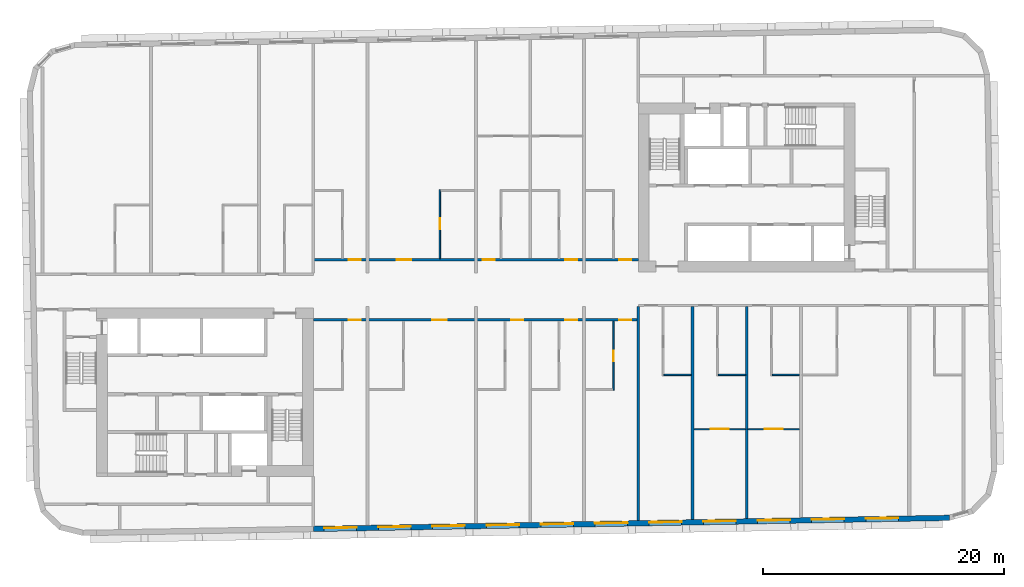
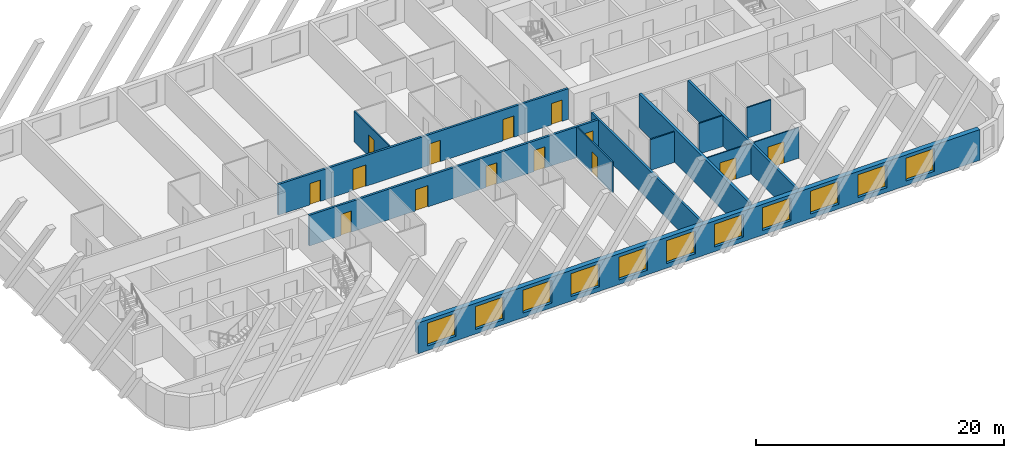
# One storey, part 4 of 12: 14 doors, 13 walls, 11 windows, 25 openings.
"""IFC4 building model written with IfcOpenShell, lengths in metres."""

import ifcopenshell
import ifcopenshell.guid

model = None  # the IFC model being written
_history = None  # IfcOwnerHistory: only IFC2X3 demands one
_inside = {}  # id of a spatial element -> (the spatial element, [elements in it])
_under = {}  # id of a project, library or spatial element -> (it, [spatial elements below it])
_declared = {}  # id of a project -> (the project, [libraries it declares])
_typed = {}  # id of a type object -> (the type object, [elements of that type])
_made_of = {}  # id of a material, layer set ... -> (it, [elements and type objects made of it])


def new_model(schema):
    """Start an empty IFC model of exactly this schema.

    Asked for "IFC4X3", IfcOpenShell would pick the latest addendum, in which some entities
    have other attributes; the version numbers below select the first issue.
    IFC2X3 requires an IfcOwnerHistory on every rooted entity: one is made here for all.
    """
    global model, _history
    if schema == "IFC4X3":
        model = ifcopenshell.file(schema_version=(4, 3, 0, 0))
    else:
        model = ifcopenshell.file(schema=schema)
    _inside.clear()
    _under.clear()
    _declared.clear()
    _typed.clear()
    _made_of.clear()
    _history = None
    if model.schema == "IFC2X3":
        org = make("IfcOrganization", Name="unknown")
        user = make(
            "IfcPersonAndOrganization",
            ThePerson=make("IfcPerson", FamilyName="unknown"),
            TheOrganization=org,
        )
        app = make(
            "IfcApplication",
            ApplicationDeveloper=org,
            Version="unknown",
            ApplicationFullName="unknown",
            ApplicationIdentifier="unknown",
        )
        _history = make(
            "IfcOwnerHistory",
            OwningUser=user,
            OwningApplication=app,
            ChangeAction="ADDED",
            CreationDate=0,
        )
    return model


def make(cls, **values):
    """One entity of the class cls with the attributes given. An attribute that is None is left unset."""
    return model.create_entity(
        cls, **{name: value for name, value in values.items() if value is not None}
    )


def rooted(cls, **values):
    """An entity with a GlobalId (a new one), such as an element, a storey or a relation."""
    return make(cls, GlobalId=ifcopenshell.guid.new(), OwnerHistory=_history, **values)


def si_unit(unit_type, name, prefix=None):
    """IfcSIUnit, for example si_unit("LENGTHUNIT", "METRE", prefix="MILLI")."""
    return make("IfcSIUnit", UnitType=unit_type, Prefix=prefix, Name=name)


def assignment(units):
    """IfcUnitAssignment: the units of a project."""
    return None if units is None else make("IfcUnitAssignment", Units=units)


def point(xyz):
    """IfcCartesianPoint."""
    return None if xyz is None else make("IfcCartesianPoint", Coordinates=xyz)


def direction(xyz):
    """IfcDirection."""
    return None if xyz is None else make("IfcDirection", DirectionRatios=xyz)


def frame(location, z_axis=None, x_axis=None):
    """IfcAxis2Placement3D, a coordinate frame: its origin and axes. An axis left out is left unset."""
    return make(
        "IfcAxis2Placement3D",
        Location=point(location),
        Axis=direction(z_axis),
        RefDirection=direction(x_axis),
    )


def frame_2d(location, x_axis=None):
    """IfcAxis2Placement2D, a coordinate frame in the plane: its origin and x axis."""
    return make(
        "IfcAxis2Placement2D", Location=point(location), RefDirection=direction(x_axis)
    )


def origin():
    """The frame at (0, 0, 0) with its axes left unset."""
    return frame((0.0, 0.0, 0.0))


def place(relative_to, where):
    """IfcLocalPlacement: puts the frame where relative to a parent placement (None: the world)."""
    return make(
        "IfcLocalPlacement", PlacementRelTo=relative_to, RelativePlacement=where
    )


def context(
    kind, dimensions, precision=None, world=None, true_north=None, identifier=None
):
    """IfcGeometricRepresentationContext, for example the 3D "Model" context."""
    return make(
        "IfcGeometricRepresentationContext",
        ContextIdentifier=identifier,
        ContextType=kind,
        CoordinateSpaceDimension=dimensions,
        Precision=precision,
        WorldCoordinateSystem=world,
        TrueNorth=true_north,
    )


def subcontext(parent, identifier, kind, view, scale=None):
    """IfcGeometricRepresentationSubContext, for example "Body" below "Model"."""
    return make(
        "IfcGeometricRepresentationSubContext",
        ContextIdentifier=identifier,
        ContextType=kind,
        ParentContext=parent,
        TargetScale=scale,
        TargetView=view,
    )


def project(units=None, contexts=None):
    """IfcProject with its units and contexts."""
    return rooted(
        "IfcProject",
        Name="project",
        RepresentationContexts=contexts,
        UnitsInContext=assignment(units),
    )


def spatial(cls, under=None, at=None, **own):
    """A site, building, storey or space (cls), placed at a placement, below another one or the project."""
    s = rooted(cls, ObjectPlacement=at, **own)
    if under is not None:
        _under.setdefault(under.id(), (under, []))[1].append(s)
    return s


def profile(cls, at=None, kind="AREA", **sizes):
    """A parametric profile (cls). Its sizes go by their IFC names, for example OverallWidth=200.0."""
    return make(cls, ProfileType=kind, Position=at, **sizes)


def rectangle(**sizes):
    """IfcRectangleProfileDef."""
    return profile("IfcRectangleProfileDef", **sizes)


def extrude(swept, where, along, depth):
    """IfcExtrudedAreaSolid: the profile swept, set in the frame where, extruded along a direction by depth."""
    return make(
        "IfcExtrudedAreaSolid",
        SweptArea=swept,
        Position=where,
        ExtrudedDirection=direction(along),
        Depth=depth,
    )


def shape(context_of_items, identifier, shape_type, items):
    """IfcShapeRepresentation: the items that make up one representation, for example the "Body"."""
    return make(
        "IfcShapeRepresentation",
        ContextOfItems=context_of_items,
        RepresentationIdentifier=identifier,
        RepresentationType=shape_type,
        Items=items,
    )


def material(Name=None, Category=None):
    """IfcMaterial."""
    return make("IfcMaterial", Name=Name, Category=Category)


def layer(
    of_material, thickness, ventilated=None, Name=None, Category=None, Priority=None
):
    """IfcMaterialLayer: one layer of a wall or slab, of a material (None: an air gap)."""
    return make(
        "IfcMaterialLayer",
        Material=of_material,
        LayerThickness=thickness,
        IsVentilated=ventilated,
        Name=Name,
        Category=Category,
        Priority=Priority,
    )


def layer_set(layers, Name=None):
    """IfcMaterialLayerSet."""
    return make("IfcMaterialLayerSet", MaterialLayers=layers, LayerSetName=Name)


def made_of(thing, what):
    """Note that an element or type object is made of a material, layer set ...; save() writes the relation."""
    if what is not None:
        _made_of.setdefault(what.id(), (what, []))[1].append(thing)
    return thing


def type_object(cls, material=None, **own):
    """A type object (cls), such as IfcWallType, which elements share."""
    return made_of(rooted(cls, **own), material)


def element(
    cls,
    number,
    at=None,
    inside=None,
    cuts=None,
    type_object=None,
    material=None,
    context=None,
    identifier="Body",
    shape_type=None,
    held_by="IfcProductDefinitionShape",
    body=None,
    shapes=None,
    **own,
):
    """One element of the class cls, such as IfcWall. Its Tag is "e" and its number.

    at: its placement. inside: the storey or other place that contains it. cuts: it is an
    opening in that element (IfcRelVoidsElement). A single representation is given by context,
    identifier, shape_type and body (its items); several are given by shapes. held_by: the class
    of the entity that holds the representations. save() writes the other relations.
    """
    e = rooted(cls, Tag="e%d" % number, ObjectPlacement=at, **own)
    if body is not None:
        shapes = [shape(context, identifier, shape_type, body)]
    if shapes is not None:
        e.Representation = make(held_by, Representations=shapes)
    if inside is not None:
        _inside.setdefault(inside.id(), (inside, []))[1].append(e)
    if cuts is not None:
        rooted(
            "IfcRelVoidsElement", RelatingBuildingElement=cuts, RelatedOpeningElement=e
        )
    if type_object is not None:
        _typed.setdefault(type_object.id(), (type_object, []))[1].append(e)
    return made_of(e, material)


def fill(opening, filler):
    """IfcRelFillsElement: the door or window that sits in an opening."""
    return rooted(
        "IfcRelFillsElement",
        RelatingOpeningElement=opening,
        RelatedBuildingElement=filler,
    )


def aggregate(whole, parts):
    """IfcRelAggregates: a whole, such as a stair, and the parts it consists of."""
    return rooted("IfcRelAggregates", RelatingObject=whole, RelatedObjects=parts)


def save(model, path):
    """Write the relations noted so far, then the file.

    IfcRelAggregates (storeys below a building ...), IfcRelContainedInSpatialStructure (elements
    in a storey), IfcRelDefinesByType, IfcRelAssociatesMaterial and IfcRelDeclares: one each for
    every whole, place, type object, material and project.
    """
    for whole, parts in _under.values():
        aggregate(whole, parts)
    for where, things in _inside.values():
        rooted(
            "IfcRelContainedInSpatialStructure",
            RelatedElements=things,
            RelatingStructure=where,
        )
    for kind, things in _typed.values():
        rooted("IfcRelDefinesByType", RelatedObjects=things, RelatingType=kind)
    for what, things in _made_of.values():
        rooted("IfcRelAssociatesMaterial", RelatedObjects=things, RelatingMaterial=what)
    for by, libraries in _declared.values():
        rooted("IfcRelDeclares", RelatingContext=by, RelatedDefinitions=libraries)
    model.write(path)


model = new_model("IFC4")

# Units and contexts
model_context = context("Model", 3, precision=1e-05, world=origin(), true_north=direction((0.0, 1.0)))
body_context = subcontext(model_context, "Body", "Model", "MODEL_VIEW")
ifc_project = project(units=[si_unit("LENGTHUNIT", "METRE"), si_unit("AREAUNIT", "SQUARE_METRE"), si_unit("VOLUMEUNIT", "CUBIC_METRE"), si_unit("PLANEANGLEUNIT", "RADIAN"), si_unit("MASSUNIT", "GRAM", prefix="KILO")], contexts=[model_context])

# Site, building, storey
site_placement = place(None, origin())
site = spatial("IfcSite", under=ifc_project, at=site_placement, CompositionType="ELEMENT")
building_placement = place(site_placement, origin())
building = spatial("IfcBuilding", under=site, at=building_placement, Name="Kajstack Hotel Tower", CompositionType="ELEMENT")
storey_placement = place(building_placement, frame((0.0, 0.0, 227.60009765625)))
storey = spatial("IfcBuildingStorey", under=building, at=storey_placement, Name="L55", CompositionType="ELEMENT", Elevation=227.60009765625)

# Wall, openings, doors
ifc_material_1 = material(Name="Gypsum board on steel studs, mineral wool", Category="steel")
ifc_layer_1 = layer(ifc_material_1, 0.199951171875)
ifc_layer_set_1 = layer_set([ifc_layer_1], Name="Corridor wall 200")
wall_type_1 = type_object("IfcWallType", Name="Corridor wall 200", PredefinedType="PARTITIONING", material=ifc_layer_set_1)
wall_1_placement = place(storey_placement, frame((-13.5, 2.5, 0.0), z_axis=(0.0, 0.0, 1.0), x_axis=(1.0, 0.0, 0.0)))
wall_1 = element("IfcWall", 1, at=wall_1_placement, inside=storey, type_object=wall_type_1, Name="G-wall-L55-004", PredefinedType="PARTITIONING", context=body_context, shape_type="SweptSolid", body=[
    extrude(rectangle(XDim=27.0, YDim=0.199951171875, at=frame_2d((13.5, 0.0))), origin(), (0.0, 0.0, 1.0), 3.02001953125),
])
opening_1_placement = place(wall_1_placement, frame((2.925048828125, 0.0, 0.0)))
opening_1 = element("IfcOpeningElement", 2, at=opening_1_placement, cuts=wall_1, Name="Opening 55007", PredefinedType="OPENING", context=body_context, shape_type="SweptSolid", body=[
    extrude(rectangle(XDim=1.0, YDim=2.10009765625, at=frame_2d((0.5, 1.050048828125))), frame((0.0, 0.10986328125, 0.0), z_axis=(0.0, -1.0, 0.0), x_axis=(1.0, 0.0, 0.0)), (0.0, 0.0, 1.0), 0.219970703125),
])
opening_2_placement = place(wall_1_placement, frame((6.93798828125, 0.0, 0.0)))
opening_2 = element("IfcOpeningElement", 3, at=opening_2_placement, cuts=wall_1, Name="Opening 55009", PredefinedType="OPENING", context=body_context, shape_type="SweptSolid", body=[
    extrude(rectangle(XDim=1.199951171875, YDim=2.10009765625, at=frame_2d((0.60009765625, 1.050048828125))), frame((0.0, 0.10986328125, 0.0), z_axis=(0.0, -1.0, 0.0), x_axis=(1.0, 0.0, 0.0)), (0.0, 0.0, 1.0), 0.219970703125),
])
opening_3_placement = place(wall_1_placement, frame((14.074951171875, 0.0, 0.0)))
opening_3 = element("IfcOpeningElement", 4, at=opening_3_placement, cuts=wall_1, Name="Opening 55011", PredefinedType="OPENING", context=body_context, shape_type="SweptSolid", body=[
    extrude(rectangle(XDim=1.0, YDim=2.10009765625, at=frame_2d((0.5, 1.050048828125))), frame((0.0, 0.10986328125, 0.0), z_axis=(0.0, -1.0, 0.0), x_axis=(1.0, 0.0, 0.0)), (0.0, 0.0, 1.0), 0.219970703125),
])
opening_4_placement = place(wall_1_placement, frame((20.925048828125, 0.0, 0.0)))
opening_4 = element("IfcOpeningElement", 5, at=opening_4_placement, cuts=wall_1, Name="Opening 55014", PredefinedType="OPENING", context=body_context, shape_type="SweptSolid", body=[
    extrude(rectangle(XDim=1.0, YDim=2.10009765625, at=frame_2d((0.5, 1.050048828125))), frame((0.0, 0.10986328125, 0.0), z_axis=(0.0, -1.0, 0.0), x_axis=(1.0, 0.0, 0.0)), (0.0, 0.0, 1.0), 0.219970703125),
])
opening_5_placement = place(wall_1_placement, frame((25.425048828125, 0.0, 0.0)))
opening_5 = element("IfcOpeningElement", 6, at=opening_5_placement, cuts=wall_1, Name="Opening 55017", PredefinedType="OPENING", context=body_context, shape_type="SweptSolid", body=[
    extrude(rectangle(XDim=1.0, YDim=2.10009765625, at=frame_2d((0.5, 1.050048828125))), frame((0.0, 0.10986328125, 0.0), z_axis=(0.0, -1.0, 0.0), x_axis=(1.0, 0.0, 0.0)), (0.0, 0.0, 1.0), 0.219970703125),
])
ifc_material_2 = material(Name="Oak veneer on timber core, fire-rated leaf", Category="wood")
door_type_1 = type_object("IfcDoorType", Name="Flat entrance door 1000", OperationType="SINGLE_SWING_LEFT", PredefinedType="DOOR", material=ifc_material_2)
door_1_placement = place(opening_1_placement, origin())
door_1 = element("IfcDoor", 7, at=door_1_placement, inside=storey, type_object=door_type_1, Name="G-door-L55-07", OperationType="SINGLE_SWING_RIGHT", OverallHeight=2.10009765625, OverallWidth=1.0, PredefinedType="DOOR", context=body_context, shape_type="SweptSolid", body=[
    extrude(rectangle(XDim=1.0, YDim=2.10009765625, at=frame_2d((0.5, 1.050048828125))), frame((0.0, 0.02490234375, 0.0), z_axis=(0.0, -1.0, 0.0), x_axis=(1.0, 0.0, 0.0)), (0.0, 0.0, 1.0), 0.050048828125),
])
fill(opening_1, door_1)
door_2_placement = place(opening_3_placement, origin())
door_2 = element("IfcDoor", 8, at=door_2_placement, inside=storey, type_object=door_type_1, Name="G-door-L55-11", OperationType="SINGLE_SWING_LEFT", OverallHeight=2.10009765625, OverallWidth=1.0, PredefinedType="DOOR", context=body_context, shape_type="SweptSolid", body=[
    extrude(rectangle(XDim=1.0, YDim=2.10009765625, at=frame_2d((0.5, 1.050048828125))), frame((0.0, 0.02490234375, 0.0), z_axis=(0.0, -1.0, 0.0), x_axis=(1.0, 0.0, 0.0)), (0.0, 0.0, 1.0), 0.050048828125),
])
fill(opening_3, door_2)
door_3_placement = place(opening_4_placement, origin())
door_3 = element("IfcDoor", 9, at=door_3_placement, inside=storey, type_object=door_type_1, Name="G-door-L55-14", OperationType="SINGLE_SWING_LEFT", OverallHeight=2.10009765625, OverallWidth=1.0, PredefinedType="DOOR", context=body_context, shape_type="SweptSolid", body=[
    extrude(rectangle(XDim=1.0, YDim=2.10009765625, at=frame_2d((0.5, 1.050048828125))), frame((0.0, 0.02490234375, 0.0), z_axis=(0.0, -1.0, 0.0), x_axis=(1.0, 0.0, 0.0)), (0.0, 0.0, 1.0), 0.050048828125),
])
fill(opening_4, door_3)
door_4_placement = place(opening_5_placement, origin())
door_4 = element("IfcDoor", 10, at=door_4_placement, inside=storey, type_object=door_type_1, Name="G-door-L55-17", OperationType="SINGLE_SWING_RIGHT", OverallHeight=2.10009765625, OverallWidth=1.0, PredefinedType="DOOR", context=body_context, shape_type="SweptSolid", body=[
    extrude(rectangle(XDim=1.0, YDim=2.10009765625, at=frame_2d((0.5, 1.050048828125))), frame((0.0, 0.02490234375, 0.0), z_axis=(0.0, -1.0, 0.0), x_axis=(1.0, 0.0, 0.0)), (0.0, 0.0, 1.0), 0.050048828125),
])
fill(opening_5, door_4)
door_type_2 = type_object("IfcDoorType", Name="Flat entrance door 1200", OperationType="SINGLE_SWING_LEFT", PredefinedType="DOOR", material=ifc_material_2)
door_5_placement = place(opening_2_placement, origin())
door_5 = element("IfcDoor", 11, at=door_5_placement, inside=storey, type_object=door_type_2, Name="G-door-L55-09", OperationType="SINGLE_SWING_LEFT", OverallHeight=2.10009765625, OverallWidth=1.199951171875, PredefinedType="DOOR", context=body_context, shape_type="SweptSolid", body=[
    extrude(rectangle(XDim=1.199951171875, YDim=2.10009765625, at=frame_2d((0.60009765625, 1.050048828125))), frame((0.0, 0.02490234375, 0.0), z_axis=(0.0, -1.0, 0.0), x_axis=(1.0, 0.0, 0.0)), (0.0, 0.0, 1.0), 0.050048828125),
])
fill(opening_2, door_5)

wall_2_placement = place(storey_placement, frame((-13.5, -2.5, 0.0), z_axis=(0.0, 0.0, 1.0), x_axis=(1.0, 0.0, 0.0)))
wall_2 = element("IfcWall", 12, at=wall_2_placement, inside=storey, type_object=wall_type_1, Name="G-wall-L55-025", PredefinedType="PARTITIONING", context=body_context, shape_type="SweptSolid", body=[
    extrude(rectangle(XDim=27.0, YDim=0.199951171875, at=frame_2d((13.5, 0.0))), origin(), (0.0, 0.0, 1.0), 3.02001953125),
])
opening_6_placement = place(wall_2_placement, frame((2.925048828125, 0.0, 0.0)))
opening_6 = element("IfcOpeningElement", 13, at=opening_6_placement, cuts=wall_2, Name="Opening 55019", PredefinedType="OPENING", context=body_context, shape_type="SweptSolid", body=[
    extrude(rectangle(XDim=1.0, YDim=2.10009765625, at=frame_2d((0.5, 1.050048828125))), frame((0.0, 0.10986328125, 0.0), z_axis=(0.0, -1.0, 0.0), x_axis=(1.0, 0.0, 0.0)), (0.0, 0.0, 1.0), 0.219970703125),
])
opening_7_placement = place(wall_2_placement, frame((9.863037109375, 0.0, 0.0)))
opening_7 = element("IfcOpeningElement", 14, at=opening_7_placement, cuts=wall_2, Name="Opening 55021", PredefinedType="OPENING", context=body_context, shape_type="SweptSolid", body=[
    extrude(rectangle(XDim=1.199951171875, YDim=2.10009765625, at=frame_2d((0.60009765625, 1.050048828125))), frame((0.0, 0.10986328125, 0.0), z_axis=(0.0, -1.0, 0.0), x_axis=(1.0, 0.0, 0.0)), (0.0, 0.0, 1.0), 0.219970703125),
])
opening_8_placement = place(wall_2_placement, frame((16.449951171875, 0.0, 0.0)))
opening_8 = element("IfcOpeningElement", 15, at=opening_8_placement, cuts=wall_2, Name="Opening 55023", PredefinedType="OPENING", context=body_context, shape_type="SweptSolid", body=[
    extrude(rectangle(XDim=1.0, YDim=2.10009765625, at=frame_2d((0.5, 1.050048828125))), frame((0.0, 0.10986328125, 0.0), z_axis=(0.0, -1.0, 0.0), x_axis=(1.0, 0.0, 0.0)), (0.0, 0.0, 1.0), 0.219970703125),
])
opening_9_placement = place(wall_2_placement, frame((20.925048828125, 0.0, 0.0)))
opening_9 = element("IfcOpeningElement", 16, at=opening_9_placement, cuts=wall_2, Name="Opening 55025", PredefinedType="OPENING", context=body_context, shape_type="SweptSolid", body=[
    extrude(rectangle(XDim=1.0, YDim=2.10009765625, at=frame_2d((0.5, 1.050048828125))), frame((0.0, 0.10986328125, 0.0), z_axis=(0.0, -1.0, 0.0), x_axis=(1.0, 0.0, 0.0)), (0.0, 0.0, 1.0), 0.219970703125),
])
opening_10_placement = place(wall_2_placement, frame((25.425048828125, 0.0, 0.0)))
opening_10 = element("IfcOpeningElement", 17, at=opening_10_placement, cuts=wall_2, Name="Opening 55027", PredefinedType="OPENING", context=body_context, shape_type="SweptSolid", body=[
    extrude(rectangle(XDim=1.0, YDim=2.10009765625, at=frame_2d((0.5, 1.050048828125))), frame((0.0, 0.10986328125, 0.0), z_axis=(0.0, -1.0, 0.0), x_axis=(1.0, 0.0, 0.0)), (0.0, 0.0, 1.0), 0.219970703125),
])
door_6_placement = place(opening_6_placement, origin())
door_6 = element("IfcDoor", 18, at=door_6_placement, inside=storey, type_object=door_type_1, Name="G-door-L55-19", OperationType="SINGLE_SWING_RIGHT", OverallHeight=2.10009765625, OverallWidth=1.0, PredefinedType="DOOR", context=body_context, shape_type="SweptSolid", body=[
    extrude(rectangle(XDim=1.0, YDim=2.10009765625, at=frame_2d((0.5, 1.050048828125))), frame((0.0, 0.02490234375, 0.0), z_axis=(0.0, -1.0, 0.0), x_axis=(1.0, 0.0, 0.0)), (0.0, 0.0, 1.0), 0.050048828125),
])
fill(opening_6, door_6)
door_7_placement = place(opening_8_placement, origin())
door_7 = element("IfcDoor", 19, at=door_7_placement, inside=storey, type_object=door_type_1, Name="G-door-L55-23", OperationType="SINGLE_SWING_LEFT", OverallHeight=2.10009765625, OverallWidth=1.0, PredefinedType="DOOR", context=body_context, shape_type="SweptSolid", body=[
    extrude(rectangle(XDim=1.0, YDim=2.10009765625, at=frame_2d((0.5, 1.050048828125))), frame((0.0, 0.02490234375, 0.0), z_axis=(0.0, -1.0, 0.0), x_axis=(1.0, 0.0, 0.0)), (0.0, 0.0, 1.0), 0.050048828125),
])
fill(opening_8, door_7)
door_8_placement = place(opening_9_placement, origin())
door_8 = element("IfcDoor", 20, at=door_8_placement, inside=storey, type_object=door_type_1, Name="G-door-L55-25", OperationType="SINGLE_SWING_RIGHT", OverallHeight=2.10009765625, OverallWidth=1.0, PredefinedType="DOOR", context=body_context, shape_type="SweptSolid", body=[
    extrude(rectangle(XDim=1.0, YDim=2.10009765625, at=frame_2d((0.5, 1.050048828125))), frame((0.0, 0.02490234375, 0.0), z_axis=(0.0, -1.0, 0.0), x_axis=(1.0, 0.0, 0.0)), (0.0, 0.0, 1.0), 0.050048828125),
])
fill(opening_9, door_8)
door_9_placement = place(opening_10_placement, origin())
door_9 = element("IfcDoor", 21, at=door_9_placement, inside=storey, type_object=door_type_1, Name="G-door-L55-27", OperationType="SINGLE_SWING_LEFT", OverallHeight=2.10009765625, OverallWidth=1.0, PredefinedType="DOOR", context=body_context, shape_type="SweptSolid", body=[
    extrude(rectangle(XDim=1.0, YDim=2.10009765625, at=frame_2d((0.5, 1.050048828125))), frame((0.0, 0.02490234375, 0.0), z_axis=(0.0, -1.0, 0.0), x_axis=(1.0, 0.0, 0.0)), (0.0, 0.0, 1.0), 0.050048828125),
])
fill(opening_10, door_9)
door_10_placement = place(opening_7_placement, origin())
door_10 = element("IfcDoor", 22, at=door_10_placement, inside=storey, type_object=door_type_2, Name="G-door-L55-21", OperationType="SINGLE_SWING_RIGHT", OverallHeight=2.10009765625, OverallWidth=1.199951171875, PredefinedType="DOOR", context=body_context, shape_type="SweptSolid", body=[
    extrude(rectangle(XDim=1.199951171875, YDim=2.10009765625, at=frame_2d((0.60009765625, 1.050048828125))), frame((0.0, 0.02490234375, 0.0), z_axis=(0.0, -1.0, 0.0), x_axis=(1.0, 0.0, 0.0)), (0.0, 0.0, 1.0), 0.050048828125),
])
fill(opening_7, door_10)

# Walls
ifc_material_3 = material(Name="Twin-frame gypsum board on steel studs, mineral wool", Category="steel")
ifc_layer_2 = layer(ifc_material_3, 0.199951171875)
ifc_layer_set_2 = layer_set([ifc_layer_2], Name="Demising wall 200")
wall_type_2 = type_object("IfcWallType", Name="Demising wall 200", PredefinedType="PARTITIONING", material=ifc_layer_set_2)
wall_3_placement = place(storey_placement, frame((13.5, -19.169921875, 0.0), z_axis=(0.0, 0.0, 1.0), x_axis=(0.0, 1.0, 0.0)))
element("IfcWall", 23, at=wall_3_placement, inside=storey, type_object=wall_type_2, Name="G-wall-L55-036", PredefinedType="PARTITIONING", context=body_context, shape_type="SweptSolid", body=[
    extrude(rectangle(XDim=17.77001953125, YDim=0.199951171875, at=frame_2d((8.885009765625, 0.0))), origin(), (0.0, 0.0, 1.0), 3.02001953125),
])
wall_4_placement = place(storey_placement, frame((22.5, -19.012939453125, 0.0), z_axis=(0.0, 0.0, 1.0), x_axis=(0.0, 1.0, 0.0)))
element("IfcWall", 24, at=wall_4_placement, inside=storey, type_object=wall_type_2, Name="G-wall-L55-041", PredefinedType="PARTITIONING", context=body_context, shape_type="SweptSolid", body=[
    extrude(rectangle(XDim=17.613037109375, YDim=0.199951171875, at=frame_2d((8.806640625, 0.0))), origin(), (0.0, 0.0, 1.0), 3.02001953125),
])

# Wall, openings, windows
ifc_material_4 = material(Name="Terracotta-faced brick masonry", Category="masonry")
ifc_layer_3 = layer(ifc_material_4, 0.449951171875)
ifc_layer_set_3 = layer_set([ifc_layer_3], Name="EW-TERRA")
wall_type_3 = type_object("IfcWallType", Name="EW-TERRA", PredefinedType="SOLIDWALL", material=ifc_layer_set_3)
wall_5_placement = place(storey_placement, frame((-13.50390625, -19.8662109375, 0.0), z_axis=(0.0, 0.0, 1.0), x_axis=(0.999847672978, 0.017453676992, 0.0)))
wall_5 = element("IfcWall", 25, at=wall_5_placement, inside=storey, type_object=wall_type_3, Name="E-wall-L55-04-02", PredefinedType="SOLIDWALL", context=body_context, shape_type="SweptSolid", body=[
    extrude(rectangle(XDim=52.8603515625, YDim=0.449951171875, at=frame_2d((26.43017578125, 0.0))), origin(), (0.0, 0.0, 1.0), 3.02001953125),
])
opening_11_placement = place(wall_5_placement, frame((0.900390625, 0.0, 0.449951171875)))
opening_11 = element("IfcOpeningElement", 26, at=opening_11_placement, cuts=wall_5, Name="Opening W1", PredefinedType="OPENING", context=body_context, shape_type="SweptSolid", body=[
    extrude(rectangle(XDim=2.699951171875, YDim=2.25, at=frame_2d((1.35009765625, 1.125))), frame((0.0, 0.23486328125, 0.0), z_axis=(0.0, -1.0, 0.0), x_axis=(1.0, 0.0, 0.0)), (0.0, 0.0, 1.0), 0.469970703125),
])
opening_12_placement = place(wall_5_placement, frame((5.40087890625, 0.0, 0.449951171875)))
opening_12 = element("IfcOpeningElement", 27, at=opening_12_placement, cuts=wall_5, Name="Opening W1", PredefinedType="OPENING", context=body_context, shape_type="SweptSolid", body=[
    extrude(rectangle(XDim=2.699951171875, YDim=2.25, at=frame_2d((1.35009765625, 1.125))), frame((0.0, 0.23486328125, 0.0), z_axis=(0.0, -1.0, 0.0), x_axis=(1.0, 0.0, 0.0)), (0.0, 0.0, 1.0), 0.469970703125),
])
opening_13_placement = place(wall_5_placement, frame((9.901611328125, 0.0, 0.449951171875)))
opening_13 = element("IfcOpeningElement", 28, at=opening_13_placement, cuts=wall_5, Name="Opening W1", PredefinedType="OPENING", context=body_context, shape_type="SweptSolid", body=[
    extrude(rectangle(XDim=2.699951171875, YDim=2.25, at=frame_2d((1.35009765625, 1.125))), frame((0.0, 0.23486328125, 0.0), z_axis=(0.0, -1.0, 0.0), x_axis=(1.0, 0.0, 0.0)), (0.0, 0.0, 1.0), 0.469970703125),
])
opening_14_placement = place(wall_5_placement, frame((14.40234375, 0.0, 0.449951171875)))
opening_14 = element("IfcOpeningElement", 29, at=opening_14_placement, cuts=wall_5, Name="Opening W1", PredefinedType="OPENING", context=body_context, shape_type="SweptSolid", body=[
    extrude(rectangle(XDim=2.699951171875, YDim=2.25, at=frame_2d((1.35009765625, 1.125))), frame((0.0, 0.23486328125, 0.0), z_axis=(0.0, -1.0, 0.0), x_axis=(1.0, 0.0, 0.0)), (0.0, 0.0, 1.0), 0.469970703125),
])
opening_15_placement = place(wall_5_placement, frame((18.903076171875, 0.0, 0.449951171875)))
opening_15 = element("IfcOpeningElement", 30, at=opening_15_placement, cuts=wall_5, Name="Opening W1", PredefinedType="OPENING", context=body_context, shape_type="SweptSolid", body=[
    extrude(rectangle(XDim=2.699951171875, YDim=2.25, at=frame_2d((1.35009765625, 1.125))), frame((0.0, 0.23486328125, 0.0), z_axis=(0.0, -1.0, 0.0), x_axis=(1.0, 0.0, 0.0)), (0.0, 0.0, 1.0), 0.469970703125),
])
opening_16_placement = place(wall_5_placement, frame((23.40380859375, 0.0, 0.449951171875)))
opening_16 = element("IfcOpeningElement", 31, at=opening_16_placement, cuts=wall_5, Name="Opening W1", PredefinedType="OPENING", context=body_context, shape_type="SweptSolid", body=[
    extrude(rectangle(XDim=2.699951171875, YDim=2.25, at=frame_2d((1.35009765625, 1.125))), frame((0.0, 0.23486328125, 0.0), z_axis=(0.0, -1.0, 0.0), x_axis=(1.0, 0.0, 0.0)), (0.0, 0.0, 1.0), 0.469970703125),
])
opening_17_placement = place(wall_5_placement, frame((27.904296875, 0.0, 0.449951171875)))
opening_17 = element("IfcOpeningElement", 32, at=opening_17_placement, cuts=wall_5, Name="Opening W1", PredefinedType="OPENING", context=body_context, shape_type="SweptSolid", body=[
    extrude(rectangle(XDim=2.699951171875, YDim=2.25, at=frame_2d((1.35009765625, 1.125))), frame((0.0, 0.23486328125, 0.0), z_axis=(0.0, -1.0, 0.0), x_axis=(1.0, 0.0, 0.0)), (0.0, 0.0, 1.0), 0.469970703125),
])
opening_18_placement = place(wall_5_placement, frame((32.405029296875, 0.0, 0.449951171875)))
opening_18 = element("IfcOpeningElement", 33, at=opening_18_placement, cuts=wall_5, Name="Opening W1", PredefinedType="OPENING", context=body_context, shape_type="SweptSolid", body=[
    extrude(rectangle(XDim=2.699951171875, YDim=2.25, at=frame_2d((1.35009765625, 1.125))), frame((0.0, 0.23486328125, 0.0), z_axis=(0.0, -1.0, 0.0), x_axis=(1.0, 0.0, 0.0)), (0.0, 0.0, 1.0), 0.469970703125),
])
opening_19_placement = place(wall_5_placement, frame((36.90576171875, 0.0, 0.449951171875)))
opening_19 = element("IfcOpeningElement", 34, at=opening_19_placement, cuts=wall_5, Name="Opening W1", PredefinedType="OPENING", context=body_context, shape_type="SweptSolid", body=[
    extrude(rectangle(XDim=2.699951171875, YDim=2.25, at=frame_2d((1.35009765625, 1.125))), frame((0.0, 0.23486328125, 0.0), z_axis=(0.0, -1.0, 0.0), x_axis=(1.0, 0.0, 0.0)), (0.0, 0.0, 1.0), 0.469970703125),
])
opening_20_placement = place(wall_5_placement, frame((41.406494140625, 0.0, 0.449951171875)))
opening_20 = element("IfcOpeningElement", 35, at=opening_20_placement, cuts=wall_5, Name="Opening W1", PredefinedType="OPENING", context=body_context, shape_type="SweptSolid", body=[
    extrude(rectangle(XDim=2.699951171875, YDim=2.25, at=frame_2d((1.35009765625, 1.125))), frame((0.0, 0.23486328125, 0.0), z_axis=(0.0, -1.0, 0.0), x_axis=(1.0, 0.0, 0.0)), (0.0, 0.0, 1.0), 0.469970703125),
])
opening_21_placement = place(wall_5_placement, frame((45.9072265625, 0.0, 0.449951171875)))
opening_21 = element("IfcOpeningElement", 36, at=opening_21_placement, cuts=wall_5, Name="Opening W1", PredefinedType="OPENING", context=body_context, shape_type="SweptSolid", body=[
    extrude(rectangle(XDim=2.699951171875, YDim=2.25, at=frame_2d((1.35009765625, 1.125))), frame((0.0, 0.23486328125, 0.0), z_axis=(0.0, -1.0, 0.0), x_axis=(1.0, 0.0, 0.0)), (0.0, 0.0, 1.0), 0.469970703125),
])
ifc_material_5 = material(Name="Timber-aluminium window, triple glazed", Category="wood")
window_type = type_object("IfcWindowType", Name="WG1", PartitioningType="SINGLE_PANEL", PredefinedType="WINDOW", material=ifc_material_5)
window_1_placement = place(opening_11_placement, origin())
window_1 = element("IfcWindow", 37, at=window_1_placement, inside=storey, type_object=window_type, Name="Window W1 L55-04", OverallHeight=2.25, OverallWidth=2.699951171875, PartitioningType="SINGLE_PANEL", PredefinedType="WINDOW", context=body_context, shape_type="SweptSolid", body=[
    extrude(rectangle(XDim=2.699951171875, YDim=2.25, at=frame_2d((1.35009765625, 1.125))), frame((0.0, 0.090087890625, 0.0), z_axis=(0.0, -1.0, 0.0), x_axis=(1.0, 0.0, 0.0)), (0.0, 0.0, 1.0), 0.06005859375),
])
fill(opening_11, window_1)
window_2_placement = place(opening_12_placement, origin())
window_2 = element("IfcWindow", 38, at=window_2_placement, inside=storey, type_object=window_type, Name="Window W1 L55-04", OverallHeight=2.25, OverallWidth=2.699951171875, PartitioningType="SINGLE_PANEL", PredefinedType="WINDOW", context=body_context, shape_type="SweptSolid", body=[
    extrude(rectangle(XDim=2.699951171875, YDim=2.25, at=frame_2d((1.35009765625, 1.125))), frame((0.0, 0.090087890625, 0.0), z_axis=(0.0, -1.0, 0.0), x_axis=(1.0, 0.0, 0.0)), (0.0, 0.0, 1.0), 0.06005859375),
])
fill(opening_12, window_2)
window_3_placement = place(opening_13_placement, origin())
window_3 = element("IfcWindow", 39, at=window_3_placement, inside=storey, type_object=window_type, Name="Window W1 L55-04", OverallHeight=2.25, OverallWidth=2.699951171875, PartitioningType="SINGLE_PANEL", PredefinedType="WINDOW", context=body_context, shape_type="SweptSolid", body=[
    extrude(rectangle(XDim=2.699951171875, YDim=2.25, at=frame_2d((1.35009765625, 1.125))), frame((0.0, 0.090087890625, 0.0), z_axis=(0.0, -1.0, 0.0), x_axis=(1.0, 0.0, 0.0)), (0.0, 0.0, 1.0), 0.06005859375),
])
fill(opening_13, window_3)
window_4_placement = place(opening_14_placement, origin())
window_4 = element("IfcWindow", 40, at=window_4_placement, inside=storey, type_object=window_type, Name="Window W1 L55-04", OverallHeight=2.25, OverallWidth=2.699951171875, PartitioningType="SINGLE_PANEL", PredefinedType="WINDOW", context=body_context, shape_type="SweptSolid", body=[
    extrude(rectangle(XDim=2.699951171875, YDim=2.25, at=frame_2d((1.35009765625, 1.125))), frame((0.0, 0.090087890625, 0.0), z_axis=(0.0, -1.0, 0.0), x_axis=(1.0, 0.0, 0.0)), (0.0, 0.0, 1.0), 0.06005859375),
])
fill(opening_14, window_4)
window_5_placement = place(opening_15_placement, origin())
window_5 = element("IfcWindow", 41, at=window_5_placement, inside=storey, type_object=window_type, Name="Window W1 L55-04", OverallHeight=2.25, OverallWidth=2.699951171875, PartitioningType="SINGLE_PANEL", PredefinedType="WINDOW", context=body_context, shape_type="SweptSolid", body=[
    extrude(rectangle(XDim=2.699951171875, YDim=2.25, at=frame_2d((1.35009765625, 1.125))), frame((0.0, 0.090087890625, 0.0), z_axis=(0.0, -1.0, 0.0), x_axis=(1.0, 0.0, 0.0)), (0.0, 0.0, 1.0), 0.06005859375),
])
fill(opening_15, window_5)
window_6_placement = place(opening_16_placement, origin())
window_6 = element("IfcWindow", 42, at=window_6_placement, inside=storey, type_object=window_type, Name="Window W1 L55-04", OverallHeight=2.25, OverallWidth=2.699951171875, PartitioningType="SINGLE_PANEL", PredefinedType="WINDOW", context=body_context, shape_type="SweptSolid", body=[
    extrude(rectangle(XDim=2.699951171875, YDim=2.25, at=frame_2d((1.35009765625, 1.125))), frame((0.0, 0.090087890625, 0.0), z_axis=(0.0, -1.0, 0.0), x_axis=(1.0, 0.0, 0.0)), (0.0, 0.0, 1.0), 0.06005859375),
])
fill(opening_16, window_6)
window_7_placement = place(opening_17_placement, origin())
window_7 = element("IfcWindow", 43, at=window_7_placement, inside=storey, type_object=window_type, Name="Window W1 L55-04", OverallHeight=2.25, OverallWidth=2.699951171875, PartitioningType="SINGLE_PANEL", PredefinedType="WINDOW", context=body_context, shape_type="SweptSolid", body=[
    extrude(rectangle(XDim=2.699951171875, YDim=2.25, at=frame_2d((1.35009765625, 1.125))), frame((0.0, 0.090087890625, 0.0), z_axis=(0.0, -1.0, 0.0), x_axis=(1.0, 0.0, 0.0)), (0.0, 0.0, 1.0), 0.06005859375),
])
fill(opening_17, window_7)
window_8_placement = place(opening_18_placement, origin())
window_8 = element("IfcWindow", 44, at=window_8_placement, inside=storey, type_object=window_type, Name="Window W1 L55-04", OverallHeight=2.25, OverallWidth=2.699951171875, PartitioningType="SINGLE_PANEL", PredefinedType="WINDOW", context=body_context, shape_type="SweptSolid", body=[
    extrude(rectangle(XDim=2.699951171875, YDim=2.25, at=frame_2d((1.35009765625, 1.125))), frame((0.0, 0.090087890625, 0.0), z_axis=(0.0, -1.0, 0.0), x_axis=(1.0, 0.0, 0.0)), (0.0, 0.0, 1.0), 0.06005859375),
])
fill(opening_18, window_8)
window_9_placement = place(opening_19_placement, origin())
window_9 = element("IfcWindow", 45, at=window_9_placement, inside=storey, type_object=window_type, Name="Window W1 L55-04", OverallHeight=2.25, OverallWidth=2.699951171875, PartitioningType="SINGLE_PANEL", PredefinedType="WINDOW", context=body_context, shape_type="SweptSolid", body=[
    extrude(rectangle(XDim=2.699951171875, YDim=2.25, at=frame_2d((1.35009765625, 1.125))), frame((0.0, 0.090087890625, 0.0), z_axis=(0.0, -1.0, 0.0), x_axis=(1.0, 0.0, 0.0)), (0.0, 0.0, 1.0), 0.06005859375),
])
fill(opening_19, window_9)
window_10_placement = place(opening_20_placement, origin())
window_10 = element("IfcWindow", 46, at=window_10_placement, inside=storey, type_object=window_type, Name="Window W1 L55-04", OverallHeight=2.25, OverallWidth=2.699951171875, PartitioningType="SINGLE_PANEL", PredefinedType="WINDOW", context=body_context, shape_type="SweptSolid", body=[
    extrude(rectangle(XDim=2.699951171875, YDim=2.25, at=frame_2d((1.35009765625, 1.125))), frame((0.0, 0.090087890625, 0.0), z_axis=(0.0, -1.0, 0.0), x_axis=(1.0, 0.0, 0.0)), (0.0, 0.0, 1.0), 0.06005859375),
])
fill(opening_20, window_10)
window_11_placement = place(opening_21_placement, origin())
window_11 = element("IfcWindow", 47, at=window_11_placement, inside=storey, type_object=window_type, Name="Window W1 L55-04", OverallHeight=2.25, OverallWidth=2.699951171875, PartitioningType="SINGLE_PANEL", PredefinedType="WINDOW", context=body_context, shape_type="SweptSolid", body=[
    extrude(rectangle(XDim=2.699951171875, YDim=2.25, at=frame_2d((1.35009765625, 1.125))), frame((0.0, 0.090087890625, 0.0), z_axis=(0.0, -1.0, 0.0), x_axis=(1.0, 0.0, 0.0)), (0.0, 0.0, 1.0), 0.06005859375),
])
fill(opening_21, window_11)

# Wall, opening, door
ifc_material_6 = material(Name="Gypsum board and tiled backer on steel studs", Category="steel")
ifc_layer_4 = layer(ifc_material_6, 0.125)
ifc_layer_set_4 = layer_set([ifc_layer_4], Name="En-suite wall 125")
wall_type_4 = type_object("IfcWallType", Name="En-suite wall 125", PredefinedType="PARTITIONING", material=ifc_layer_set_4)
wall_6_placement = place(storey_placement, frame((-2.987060546875, 2.60009765625, 0.0), z_axis=(0.0, 0.0, 1.0), x_axis=(0.0, 1.0, 0.0)))
wall_6 = element("IfcWall", 48, at=wall_6_placement, inside=storey, type_object=wall_type_4, Name="G-wall-L55-014", PredefinedType="PARTITIONING", context=body_context, shape_type="SweptSolid", body=[
    extrude(rectangle(XDim=5.724853515625, YDim=0.125, at=frame_2d((2.8623046875, 0.0))), origin(), (0.0, 0.0, 1.0), 3.02001953125),
])
opening_22_placement = place(wall_6_placement, frame((2.449951171875, 0.0, 0.0)))
opening_22 = element("IfcOpeningElement", 49, at=opening_22_placement, cuts=wall_6, Name="Opening 55010", PredefinedType="OPENING", context=body_context, shape_type="SweptSolid", body=[
    extrude(rectangle(XDim=0.89990234375, YDim=2.10009765625, at=frame_2d((0.449951171875, 1.050048828125))), frame((0.0, 0.072509765625, 0.0), z_axis=(0.0, -1.0, 0.0), x_axis=(1.0, 0.0, 0.0)), (0.0, 0.0, 1.0), 0.14501953125),
])
ifc_material_7 = material(Name="Painted timber door leaf", Category="wood")
door_type_3 = type_object("IfcDoorType", Name="Room door 900", OperationType="SINGLE_SWING_LEFT", PredefinedType="DOOR", material=ifc_material_7)
door_11_placement = place(opening_22_placement, origin())
door_11 = element("IfcDoor", 50, at=door_11_placement, inside=storey, type_object=door_type_3, Name="G-door-L55-10", OperationType="SINGLE_SWING_RIGHT", OverallHeight=2.10009765625, OverallWidth=0.89990234375, PredefinedType="DOOR", context=body_context, shape_type="SweptSolid", body=[
    extrude(rectangle(XDim=0.89990234375, YDim=2.10009765625, at=frame_2d((0.449951171875, 1.050048828125))), frame((0.0, 0.02490234375, 0.0), z_axis=(0.0, -1.0, 0.0), x_axis=(1.0, 0.0, 0.0)), (0.0, 0.0, 1.0), 0.050048828125),
])
fill(opening_22, door_11)

wall_7_placement = place(storey_placement, frame((11.43798828125, -8.324951171875, 0.0), z_axis=(0.0, 0.0, 1.0), x_axis=(0.0, 1.0, 0.0)))
wall_7 = element("IfcWall", 51, at=wall_7_placement, inside=storey, type_object=wall_type_4, Name="G-wall-L55-037", PredefinedType="PARTITIONING", context=body_context, shape_type="SweptSolid", body=[
    extrude(rectangle(XDim=5.724853515625, YDim=0.125, at=frame_2d((2.8623046875, 0.0))), origin(), (0.0, 0.0, 1.0), 3.02001953125),
])
opening_23_placement = place(wall_7_placement, frame((2.375, 0.0, 0.0)))
opening_23 = element("IfcOpeningElement", 52, at=opening_23_placement, cuts=wall_7, Name="Opening 55028", PredefinedType="OPENING", context=body_context, shape_type="SweptSolid", body=[
    extrude(rectangle(XDim=0.89990234375, YDim=2.10009765625, at=frame_2d((0.449951171875, 1.050048828125))), frame((0.0, 0.072509765625, 0.0), z_axis=(0.0, -1.0, 0.0), x_axis=(1.0, 0.0, 0.0)), (0.0, 0.0, 1.0), 0.14501953125),
])
door_12_placement = place(opening_23_placement, origin())
door_12 = element("IfcDoor", 53, at=door_12_placement, inside=storey, type_object=door_type_3, Name="G-door-L55-28", OperationType="SINGLE_SWING_LEFT", OverallHeight=2.10009765625, OverallWidth=0.89990234375, PredefinedType="DOOR", context=body_context, shape_type="SweptSolid", body=[
    extrude(rectangle(XDim=0.89990234375, YDim=2.10009765625, at=frame_2d((0.449951171875, 1.050048828125))), frame((0.0, 0.02490234375, 0.0), z_axis=(0.0, -1.0, 0.0), x_axis=(1.0, 0.0, 0.0)), (0.0, 0.0, 1.0), 0.050048828125),
])
fill(opening_23, door_12)

# Walls
for number, where, z_axis, x_axis, name in (
    (54, (15.625, -7.06201171875, 0.0), (0.0, 0.0, 1.0), (1.0, 0.0, 0.0), "G-wall-L55-040"),
    (55, (20.14990234375, -7.06201171875, 0.0), (0.0, 0.0, 1.0), (1.0, 0.0, 0.0), "G-wall-L55-043"),
    (56, (24.625, -7.06201171875, 0.0), (0.0, 0.0, 1.0), (1.0, 0.0, 0.0), "G-wall-L55-046"),
):
    element("IfcWall", number, at=place(storey_placement, frame(where, z_axis=z_axis, x_axis=x_axis)), inside=storey, type_object=wall_type_4, Name=name, PredefinedType="PARTITIONING", context=body_context, shape_type="SweptSolid", body=[
        extrude(rectangle(XDim=2.25, YDim=0.125, at=frame_2d((1.125, 0.0))), origin(), (0.0, 0.0, 1.0), 3.02001953125),
    ])

# Wall, opening, door
ifc_material_8 = material(Name="Gypsum board on steel studs", Category="steel")
ifc_layer_5 = layer(ifc_material_8, 0.10009765625)
ifc_layer_set_5 = layer_set([ifc_layer_5], Name="Partition 100")
wall_type_5 = type_object("IfcWallType", Name="Partition 100", PredefinedType="PARTITIONING", material=ifc_layer_set_5)
wall_8_placement = place(storey_placement, frame((18.125, -11.574951171875, 0.0), z_axis=(0.0, 0.0, 1.0), x_axis=(1.0, 0.0, 0.0)))
wall_8 = element("IfcWall", 57, at=wall_8_placement, inside=storey, type_object=wall_type_5, Name="G-wall-L55-044", PredefinedType="PARTITIONING", context=body_context, shape_type="SweptSolid", body=[
    extrude(rectangle(XDim=4.27490234375, YDim=0.10009765625, at=frame_2d((2.137451171875, 0.0))), origin(), (0.0, 0.0, 1.0), 3.02001953125),
])
opening_24_placement = place(wall_8_placement, frame((1.386962890625, 0.0, 0.0)))
opening_24 = element("IfcOpeningElement", 58, at=opening_24_placement, cuts=wall_8, Name="Opening 55033", PredefinedType="OPENING", context=body_context, shape_type="SweptSolid", body=[
    extrude(rectangle(XDim=1.5, YDim=2.10009765625, at=frame_2d((0.75, 1.050048828125))), frame((0.0, 0.06005859375, 0.0), z_axis=(0.0, -1.0, 0.0), x_axis=(1.0, 0.0, 0.0)), (0.0, 0.0, 1.0), 0.1201171875),
])
ifc_material_9 = material(Name="Painted timber door leaves, glazed panels", Category="wood")
door_type_4 = type_object("IfcDoorType", Name="Double door 1500", OperationType="SINGLE_SWING_LEFT", PredefinedType="DOOR", material=ifc_material_9)
door_13_placement = place(opening_24_placement, origin())
door_13 = element("IfcDoor", 59, at=door_13_placement, inside=storey, type_object=door_type_4, Name="G-door-L55-33", OperationType="SINGLE_SWING_RIGHT", OverallHeight=2.10009765625, OverallWidth=1.5, PredefinedType="DOOR", context=body_context, shape_type="SweptSolid", body=[
    extrude(rectangle(XDim=1.5, YDim=2.10009765625, at=frame_2d((0.75, 1.050048828125))), frame((0.0, 0.02490234375, 0.0), z_axis=(0.0, -1.0, 0.0), x_axis=(1.0, 0.0, 0.0)), (0.0, 0.0, 1.0), 0.050048828125),
])
fill(opening_24, door_13)

wall_9_placement = place(storey_placement, frame((22.60009765625, -11.574951171875, 0.0), z_axis=(0.0, 0.0, 1.0), x_axis=(1.0, 0.0, 0.0)))
wall_9 = element("IfcWall", 60, at=wall_9_placement, inside=storey, type_object=wall_type_5, Name="G-wall-L55-047", PredefinedType="PARTITIONING", context=body_context, shape_type="SweptSolid", body=[
    extrude(rectangle(XDim=4.27490234375, YDim=0.10009765625, at=frame_2d((2.137451171875, 0.0))), origin(), (0.0, 0.0, 1.0), 3.02001953125),
])
opening_25_placement = place(wall_9_placement, frame((1.386962890625, 0.0, 0.0)))
opening_25 = element("IfcOpeningElement", 61, at=opening_25_placement, cuts=wall_9, Name="Opening 55036", PredefinedType="OPENING", context=body_context, shape_type="SweptSolid", body=[
    extrude(rectangle(XDim=1.5, YDim=2.10009765625, at=frame_2d((0.75, 1.050048828125))), frame((0.0, 0.06005859375, 0.0), z_axis=(0.0, -1.0, 0.0), x_axis=(1.0, 0.0, 0.0)), (0.0, 0.0, 1.0), 0.1201171875),
])
door_14_placement = place(opening_25_placement, origin())
door_14 = element("IfcDoor", 62, at=door_14_placement, inside=storey, type_object=door_type_4, Name="G-door-L55-36", OperationType="SINGLE_SWING_RIGHT", OverallHeight=2.10009765625, OverallWidth=1.5, PredefinedType="DOOR", context=body_context, shape_type="SweptSolid", body=[
    extrude(rectangle(XDim=1.5, YDim=2.10009765625, at=frame_2d((0.75, 1.050048828125))), frame((0.0, 0.02490234375, 0.0), z_axis=(0.0, -1.0, 0.0), x_axis=(1.0, 0.0, 0.0)), (0.0, 0.0, 1.0), 0.050048828125),
])
fill(opening_25, door_14)

# Wall
ifc_material_10 = material(Name="Concrete C45/55", Category="concrete")
ifc_layer_6 = layer(ifc_material_10, 0.25)
ifc_layer_set_6 = layer_set([ifc_layer_6], Name="RC cross wall 250 C45/55")
wall_type_6 = type_object("IfcWallType", Name="RC cross wall 250 C45/55", PredefinedType="SHEAR", material=ifc_layer_set_6)
wall_10_placement = place(storey_placement, frame((18.0, -19.0791015625, 0.0), z_axis=(0.0, 0.0, 1.0), x_axis=(0.0, 1.0, 0.0)))
element("IfcWall", 63, at=wall_10_placement, inside=storey, type_object=wall_type_6, Name="S-wall-L55-10", PredefinedType="SHEAR", context=body_context, shape_type="SweptSolid", body=[
    extrude(rectangle(XDim=17.67919921875, YDim=0.25, at=frame_2d((8.839599609375, 0.0))), origin(), (0.0, 0.0, 1.0), 3.2998046875),
])

save(model, "model.ifc")
